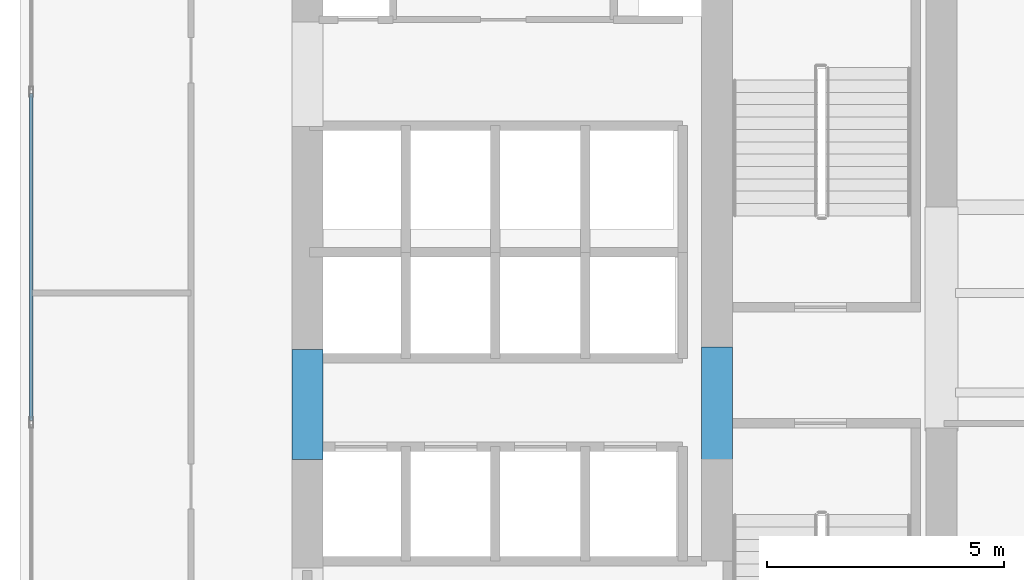
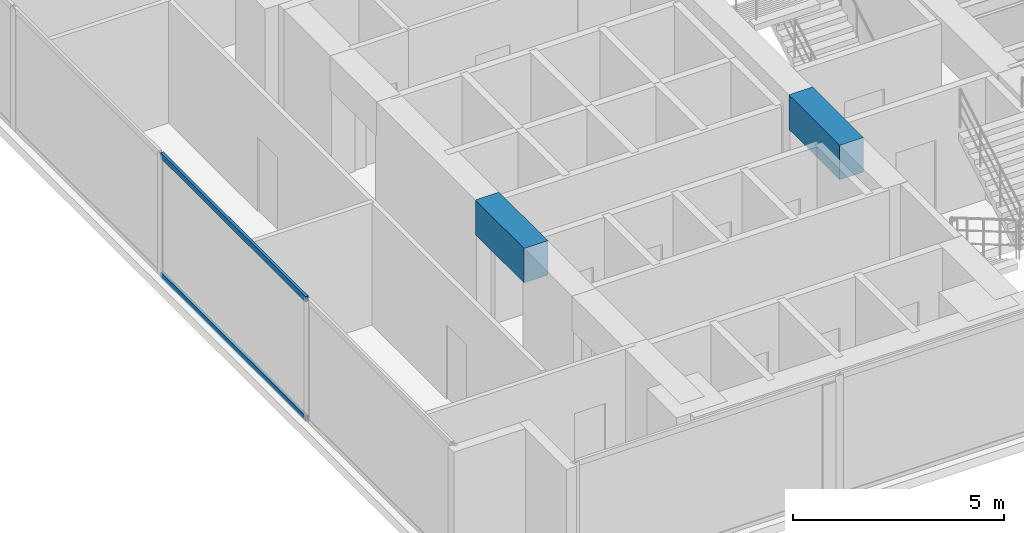
# One storey, part 3 of 24: 2 beams, 2 members, 1 element without a shape of its own.
"""IFC4 building model written with IfcOpenShell, lengths in metres."""

from ifc_helpers import new_model, si_unit, direction, frame, origin, origin_with_axes, origin_2d, place, context, subcontext, project, spatial, rectangle, hollow_rectangle, extrude, source, transform, mapped, material, layer, layer_set, material_profile, profile_set, type_object, element, aggregate, save


model = new_model("IFC4")

# Units and contexts
model_context = context("Model", 3, precision=1e-05, world=origin(), true_north=direction((0.0, 1.0)))
body_context = subcontext(model_context, "Body", "Model", "MODEL_VIEW")
ifc_project = project(units=[si_unit("LENGTHUNIT", "METRE"), si_unit("AREAUNIT", "SQUARE_METRE"), si_unit("VOLUMEUNIT", "CUBIC_METRE"), si_unit("PLANEANGLEUNIT", "RADIAN"), si_unit("MASSUNIT", "GRAM", prefix="KILO")], contexts=[model_context])

# Site, building, storey
site_placement = place(None, origin())
site = spatial("IfcSite", under=ifc_project, at=site_placement, CompositionType="ELEMENT")
building_placement = place(site_placement, origin())
building = spatial("IfcBuilding", under=site, at=building_placement, Name="Kolvaren Waterfront Exchange", CompositionType="ELEMENT")
storey_placement = place(building_placement, frame((0.0, 0.0, 91.699951171875)))
storey = spatial("IfcBuildingStorey", under=building, at=storey_placement, Name="L23", CompositionType="ELEMENT", Elevation=91.699951171875)

# Beams
ifc_material_1 = material(Name="Concrete C60/75", Category="concrete")
ifc_material_profile_1 = material_profile(ifc_material_1, rectangle(XDim=0.64990234375, YDim=1.0, at=origin_2d()), Name="RC-CB-1000x650")
ifc_profile_set_1 = profile_set([ifc_material_profile_1], Name="Concrete C60/75")
beam_type = type_object("IfcBeamType", Name="STR-CB-1000", PredefinedType="SPANDREL", material=ifc_profile_set_1)
beam_1_placement = place(storey_placement, frame((7.449951171875, 12.090087890625, 3.0400390625), z_axis=(0.0, 1.0, 0.0), x_axis=(-1.0, 0.0, 0.0)))
element("IfcBeam", 1, at=beam_1_placement, inside=storey, type_object=beam_type, Name="L23 core coupling beam 4", PredefinedType="SPANDREL", context=body_context, shape_type="SweptSolid", body=[
    extrude(rectangle(XDim=0.64990234375, YDim=1.0, at=origin_2d()), origin(), (0.0, 0.0, 1.0), 2.31982421875),
])
beam_2_placement = place(storey_placement, frame((16.074951171875, 12.0400390625, 3.0400390625), z_axis=(0.0, 1.0, 0.0), x_axis=(-1.0, 0.0, 0.0)))
element("IfcBeam", 2, at=beam_2_placement, inside=storey, type_object=beam_type, Name="L23 core coupling beam 6", PredefinedType="SPANDREL", context=body_context, shape_type="SweptSolid", body=[
    extrude(rectangle(XDim=0.64990234375, YDim=1.0, at=origin_2d()), origin(), (0.0, 0.0, 1.0), 2.419921875),
])

# Curtain wall, members
ifc_material_2 = material(Name="Anodised aluminium 6063-T6", Category="aluminium")
ifc_layer = layer(ifc_material_2, 0.219970703125, Name="Anodised aluminium 6063-T6")
ifc_layer_set = layer_set([ifc_layer], Name="Anodised aluminium 6063-T6")
curtain_wall_type = type_object("IfcCurtainWallType", Name="ARC-CW-SYS2", PredefinedType="USERDEFINED", material=ifc_layer_set)
curtain_wall_placement = place(storey_placement, origin())
curtain_wall = element("IfcCurtainWall", 3, at=curtain_wall_placement, inside=storey, type_object=curtain_wall_type, Name="L23 stick curtain wall CW2 (CW-L23-W)", ObjectType="STICK CURTAIN WALL", PredefinedType="USERDEFINED")
ifc_material_profile_2 = material_profile(ifc_material_2, hollow_rectangle(XDim=0.074951171875, YDim=0.159912109375, WallThickness=0.00439453125, at=origin_2d()), Name="ALU-TRN-160x75x4.5")
ifc_profile_set_2 = profile_set([ifc_material_profile_2], Name="Anodised aluminium 6063-T6")
member_type = type_object("IfcMemberType", Name="ARC-CWT-160", PredefinedType="USERDEFINED", material=ifc_profile_set_2)
shared_shape = source(origin_with_axes(), body_context, "Body", "SweptSolid", [
    extrude(hollow_rectangle(XDim=0.074951171875, YDim=0.159912109375, WallThickness=0.00439453125, at=origin_2d()), origin(), (0.0, 0.0, 1.0), 6.886474609375),
])
member_1_placement = place(storey_placement, frame((1.639892578125, 12.90673828125, 0.03759765625), z_axis=(0.0, 1.0, 0.0), x_axis=(-1.0, 0.0, 0.0)))
member_1 = element("IfcMember", 4, at=member_1_placement, type_object=member_type, Name="CW2 transom 2.1", ObjectType="TRANSOM", PredefinedType="USERDEFINED", context=body_context, shape_type="MappedRepresentation", body=[
    mapped(shared_shape, transform((0.0, 0.0, 0.0), x_axis=(1.0, 0.0, 0.0), y_axis=(0.0, 1.0, 0.0), z_axis=(0.0, 0.0, 1.0), scale=1.0)),
])
member_2_placement = place(storey_placement, frame((1.639892578125, 12.90673828125, 3.50244140625), z_axis=(0.0, 1.0, 0.0), x_axis=(-1.0, 0.0, 0.0)))
member_2 = element("IfcMember", 5, at=member_2_placement, type_object=member_type, Name="CW2 transom 2.2", ObjectType="TRANSOM", PredefinedType="USERDEFINED", context=body_context, shape_type="MappedRepresentation", body=[
    mapped(shared_shape, transform((0.0, 0.0, 0.0), x_axis=(1.0, 0.0, 0.0), y_axis=(0.0, 1.0, 0.0), z_axis=(0.0, 0.0, 1.0), scale=1.0)),
])
aggregate(curtain_wall, [member_1, member_2])

save(model, "model.ifc")
